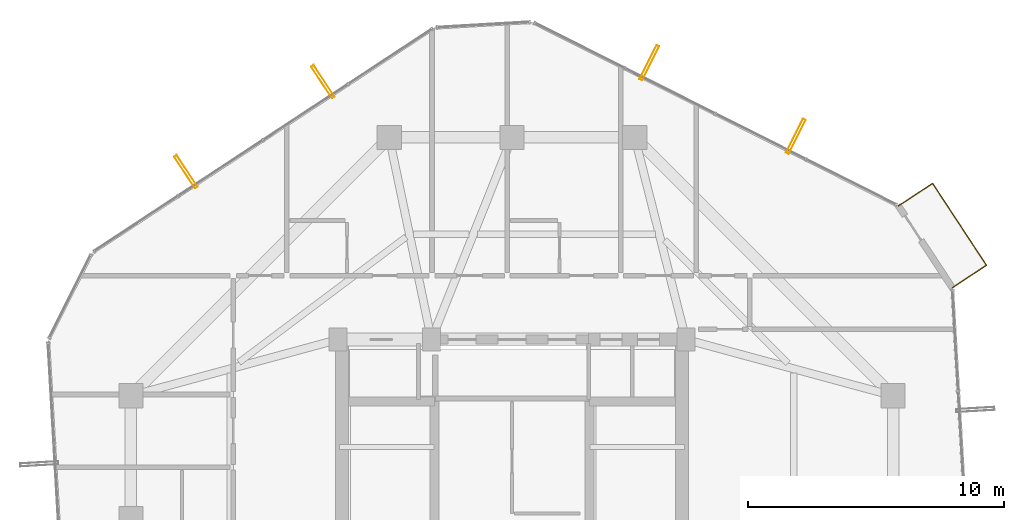
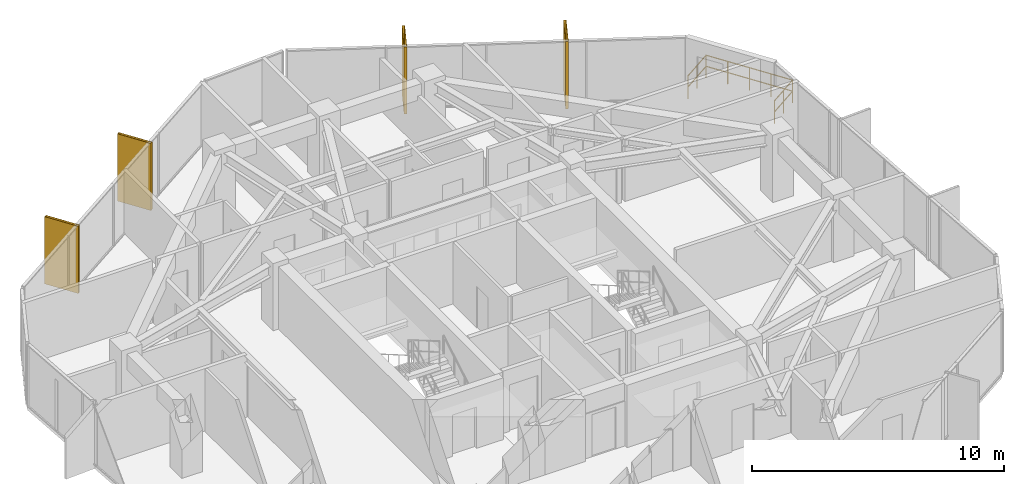
# One storey, part 33 of 33: 4 shading devices, 1 railing.
"""IFC4 building model written with IfcOpenShell, lengths in metres."""

from ifc_helpers import new_model, si_unit, direction, frame, origin, origin_2d, place, context, subcontext, project, spatial, hollow_rectangle, circle, extrude, material, material_profile, profile_set, type_object, element, save


model = new_model("IFC4")

# Units and contexts
model_context = context("Model", 3, precision=1e-05, world=origin(), true_north=direction((0.0, 1.0)))
body_context = subcontext(model_context, "Body", "Model", "MODEL_VIEW")
ifc_project = project(units=[si_unit("LENGTHUNIT", "METRE"), si_unit("AREAUNIT", "SQUARE_METRE"), si_unit("VOLUMEUNIT", "CUBIC_METRE"), si_unit("PLANEANGLEUNIT", "RADIAN"), si_unit("MASSUNIT", "GRAM", prefix="KILO")], contexts=[model_context])

# Site, building, storey
site_placement = place(None, origin())
site = spatial("IfcSite", under=ifc_project, at=site_placement, CompositionType="ELEMENT")
building_placement = place(site_placement, origin())
building = spatial("IfcBuilding", under=site, at=building_placement, Name="Veraguas Prism Commons", CompositionType="ELEMENT")
storey_placement = place(building_placement, frame((0.0, 0.0, 195.10009765625)))
storey = spatial("IfcBuildingStorey", under=building, at=storey_placement, Name="L55", CompositionType="ELEMENT", Elevation=195.10009765625)

# Shading devices
ifc_material_1 = material(Name="Anodised aluminium EN AW-6063 T6", Category="aluminium")
ifc_material_profile = material_profile(ifc_material_1, hollow_rectangle(XDim=0.1201171875, YDim=1.489990234375, WallThickness=0.006103515625, at=origin_2d()), Name="FIN120X1490X6")
ifc_profile_set = profile_set([ifc_material_profile], Name="Anodised aluminium EN AW-6063 T6")
shading_device_type = type_object("IfcShadingDeviceType", Name="Deep Pale-Metal Vertical Solar Fin 120x1490", PredefinedType="USERDEFINED", material=ifc_profile_set)
for number, where, z_axis, x_axis, name in (
    (1, (35.095947265625, 38.944091796875, -0.215087890625), (0.0, 0.0, 1.0), (-0.893528175816, 0.449007125805, 0.0), "Vertical Pale-Metal Solar Fin L55-F1A"),
    (2, (29.369384765625, 41.822021484375, -0.215087890625), (0.0, 0.0, 1.0), (-0.893528175816, 0.449007125805, 0.0), "Vertical Pale-Metal Solar Fin L55-F1B"),
    (3, (16.60595703125, 41.08154296875, -0.215087890625), (0.0, 0.0, 1.0), (-0.835617582799, -0.549311619499, 0.0), "Vertical Pale-Metal Solar Fin L55-F2A"),
    (4, (11.25048828125, 37.56103515625, -0.215087890625), (0.0, 0.0, 1.0), (-0.835617582799, -0.549311619499, 0.0), "Vertical Pale-Metal Solar Fin L55-F2B"),
):
    element("IfcShadingDevice", number, at=place(storey_placement, frame(where, z_axis=z_axis, x_axis=x_axis)), inside=storey, type_object=shading_device_type, Name=name, ObjectType="FIN", PredefinedType="USERDEFINED", context=body_context, shape_type="SweptSolid", body=[
        extrude(hollow_rectangle(XDim=0.1201171875, YDim=1.489990234375, WallThickness=0.006103515625, at=origin_2d()), origin(), (0.0, 0.0, 1.0), 3.25),
    ])

# Railing
ifc_material_2 = material(Name="Stainless steel AISI 316", Category="steel")
railing_type = type_object("IfcRailingType", Name="Loggia and Sky Pool Glazed Balustrade 1120", PredefinedType="BALUSTRADE", material=ifc_material_2)
railing_placement = place(storey_placement, frame((41.216552734375, 33.0234375, 0.0)))
element("IfcRailing", 5, at=railing_placement, inside=storey, type_object=railing_type, Name="Recessed Corner Loggia L55-C1 Guard", PredefinedType="BALUSTRADE", context=body_context, shape_type="SweptSolid", body=[
    extrude(circle(Radius=0.02392578125, at=origin_2d()), frame((0.0, 0.0, 1.09619140625), z_axis=(0.835601415844, 0.549336212023, 0.0), x_axis=(-0.549336212023, 0.835601415844, 0.0)), (0.0, 0.0, 1.0), 1.599853515625),
    extrude(circle(Radius=0.02392578125, at=origin_2d()), frame((0.0, 0.0, 0.56005859375), z_axis=(0.835601415844, 0.549336212023, 0.0), x_axis=(-0.549336212023, 0.835601415844, 0.0)), (0.0, 0.0, 1.0), 1.599853515625),
    extrude(circle(Radius=0.02392578125, at=origin_2d()), frame((1.3369140625, 0.87890625, 1.09619140625), z_axis=(-0.549296040516, 0.835627823779, 0.0), x_axis=(-0.835627823779, -0.549296040516, 0.0)), (0.0, 0.0, 1.0), 3.83447265625),
    extrude(circle(Radius=0.02392578125, at=origin_2d()), frame((1.3369140625, 0.87890625, 0.56005859375), z_axis=(-0.549296040516, 0.835627823779, 0.0), x_axis=(-0.835627823779, -0.549296040516, 0.0)), (0.0, 0.0, 1.0), 3.83447265625),
    extrude(circle(Radius=0.02392578125, at=origin_2d()), frame((-0.769287109375, 4.0830078125, 1.09619140625), z_axis=(-0.835601415844, -0.549336212023, 0.0), x_axis=(0.549336212023, -0.835601415844, 0.0)), (0.0, 0.0, 1.0), 1.599853515625),
    extrude(circle(Radius=0.02392578125, at=origin_2d()), frame((-0.769287109375, 4.0830078125, 0.56005859375), z_axis=(-0.835601415844, -0.549336212023, 0.0), x_axis=(0.549336212023, -0.835601415844, 0.0)), (0.0, 0.0, 1.0), 1.599853515625),
    extrude(circle(Radius=0.02099609375, at=origin_2d()), origin(), (0.0, 0.0, 1.0), 1.072021484375),
    extrude(circle(Radius=0.02099609375, at=origin_2d()), frame((0.66845703125, 0.439453125, 0.0)), (0.0, 0.0, 1.0), 1.072021484375),
    extrude(circle(Radius=0.02099609375, at=origin_2d()), frame((1.3369140625, 0.87890625, 0.0)), (0.0, 0.0, 1.0), 1.072021484375),
    extrude(circle(Radius=0.02099609375, at=origin_2d()), frame((0.810302734375, 1.679931640625, 0.0)), (0.0, 0.0, 1.0), 1.072021484375),
    extrude(circle(Radius=0.02099609375, at=origin_2d()), frame((0.28369140625, 2.48095703125, 0.0)), (0.0, 0.0, 1.0), 1.072021484375),
    extrude(circle(Radius=0.02099609375, at=origin_2d()), frame((-0.24267578125, 3.281982421875, 0.0)), (0.0, 0.0, 1.0), 1.072021484375),
    extrude(circle(Radius=0.02099609375, at=origin_2d()), frame((-0.769287109375, 4.0830078125, 0.0)), (0.0, 0.0, 1.0), 1.072021484375),
    extrude(circle(Radius=0.02099609375, at=origin_2d()), frame((-1.437744140625, 3.6435546875, 0.0)), (0.0, 0.0, 1.0), 1.072021484375),
    extrude(circle(Radius=0.02099609375, at=origin_2d()), frame((-2.106201171875, 3.2041015625, 0.0)), (0.0, 0.0, 1.0), 1.072021484375),
])

save(model, "model.ifc")
